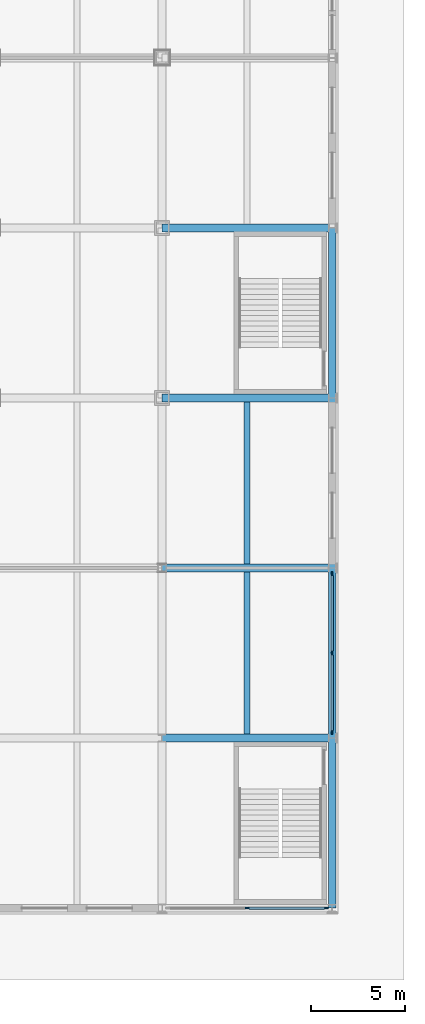
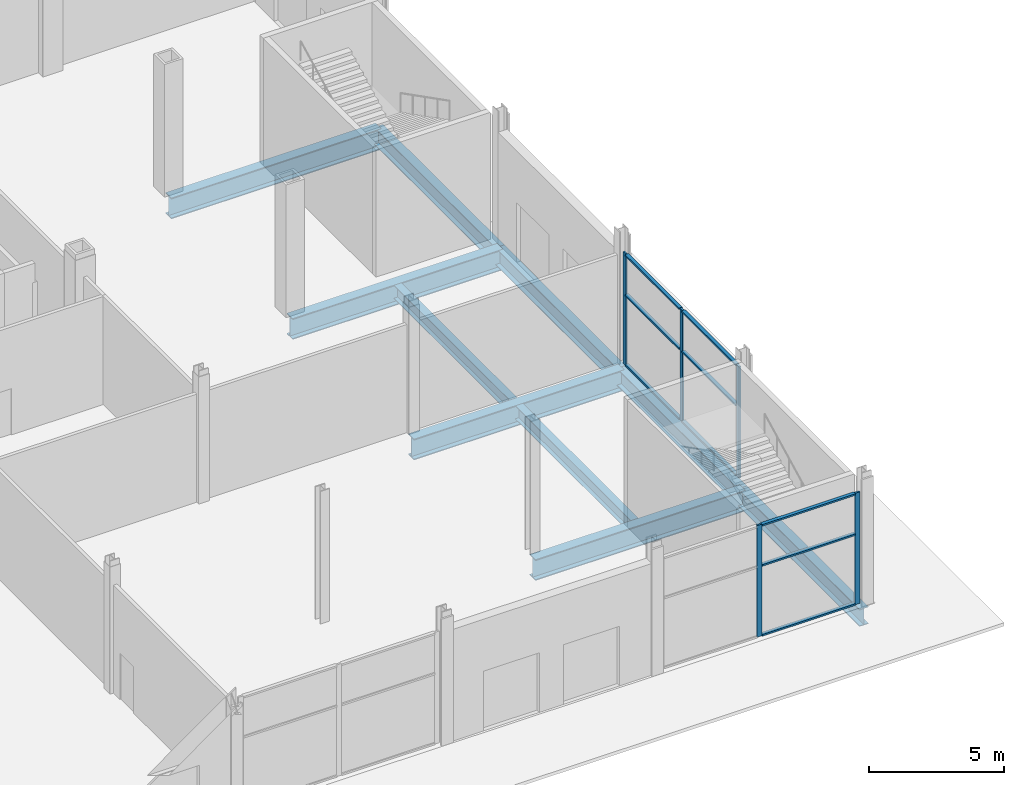
# One storey, part 12 of 34: 14 members, 10 beams, 2 elements without a shape of their own.
"""IFC4 building model written with IfcOpenShell, lengths in metres."""

from ifc_helpers import new_model, si_unit, direction, frame, origin, origin_2d, place, context, subcontext, project, spatial, rectangle, i_section, extrude, material, material_profile, profile_set, type_object, element, aggregate, save


model = new_model("IFC4")

# Units and contexts
model_context = context("Model", 3, precision=1e-05, world=origin(), true_north=direction((0.0, 1.0)))
body_context = subcontext(model_context, "Body", "Model", "MODEL_VIEW")
ifc_project = project(units=[si_unit("LENGTHUNIT", "METRE"), si_unit("AREAUNIT", "SQUARE_METRE"), si_unit("VOLUMEUNIT", "CUBIC_METRE"), si_unit("PLANEANGLEUNIT", "RADIAN"), si_unit("MASSUNIT", "GRAM", prefix="KILO")], contexts=[model_context])

# Site, building, storey
site_placement = place(None, origin())
site = spatial("IfcSite", under=ifc_project, at=site_placement, CompositionType="ELEMENT")
building_placement = place(site_placement, origin())
building = spatial("IfcBuilding", under=site, at=building_placement, Name="Loomwork Tower", CompositionType="ELEMENT")
storey_placement = place(building_placement, origin())
storey = spatial("IfcBuildingStorey", under=building, at=storey_placement, Name="L00", CompositionType="ELEMENT", Elevation=0.0)

# Beams
ifc_material_1 = material(Name="Steel ASTM A992", Category="steel")
ifc_material_profile_1 = material_profile(ifc_material_1, i_section(OverallWidth=0.381103515625, OverallDepth=0.77978515625, WebThickness=0.01806640625, FlangeThickness=0.0302734375, at=origin_2d()), Name="W30x191")
ifc_profile_set_1 = profile_set([ifc_material_profile_1], Name="Steel ASTM A992")
beam_type_1 = type_object("IfcBeamType", Name="EDGE GIRDER W30x191", PredefinedType="BEAM", material=ifc_profile_set_1)
for number, where, z_axis, x_axis, name in (
    (1, (63.0, -27.0, -0.68994140625), (0.0, 1.0, 0.0), (-1.0, 0.0, 0.0), "Edge Girder A/9-B/9 L00"),
    (2, (63.0, -18.0, -0.68994140625), (0.0, 1.0, 0.0), (-1.0, 0.0, 0.0), "Edge Girder B/9-C/9 L00"),
    (3, (63.0, -9.0, -0.68994140625), (0.0, 1.0, 0.0), (-1.0, 0.0, 0.0), "Edge Girder C/9-D/9 L00"),
    (4, (63.0, 0.0, -0.68994140625), (0.0, 1.0, 0.0), (-1.0, 0.0, 0.0), "Edge Girder D/9-E/9 L00"),
):
    element("IfcBeam", number, at=place(storey_placement, frame(where, z_axis=z_axis, x_axis=x_axis)), inside=storey, type_object=beam_type_1, Name=name, PredefinedType="BEAM", context=body_context, shape_type="SweptSolid", body=[
        extrude(i_section(OverallWidth=0.381103515625, OverallDepth=0.77978515625, WebThickness=0.01806640625, FlangeThickness=0.0302734375, at=origin_2d()), origin(), (0.0, 0.0, 1.0), 9.0),
    ])
ifc_material_2 = material(Name="Steel ASTM A992", Category="steel")
ifc_material_profile_2 = material_profile(ifc_material_2, i_section(OverallWidth=0.3251953125, OverallDepth=0.612060546875, WebThickness=0.0126953125, FlangeThickness=0.01904296875, at=origin_2d()), Name="W24x104")
ifc_profile_set_2 = profile_set([ifc_material_profile_2], Name="Steel ASTM A992")
beam_type_2 = type_object("IfcBeamType", Name="FLOOR JOIST W24x104", PredefinedType="JOIST", material=ifc_profile_set_2)
for number, where, z_axis, x_axis, name in (
    (5, (58.5, -17.7880859375, -0.60595703125), (0.0, 1.0, 0.0), (-1.0, 0.0, 0.0), "Floor Joist 58.500,-18.000-58.500,-9.000 L00"),
    (6, (58.5, -8.7880859375, -0.60595703125), (0.0, 1.0, 0.0), (-1.0, 0.0, 0.0), "Floor Joist 58.500,-9.000-58.500,0.000 L00"),
):
    element("IfcBeam", number, at=place(storey_placement, frame(where, z_axis=z_axis, x_axis=x_axis)), inside=storey, type_object=beam_type_2, Name=name, PredefinedType="JOIST", context=body_context, shape_type="SweptSolid", body=[
        extrude(i_section(OverallWidth=0.3251953125, OverallDepth=0.612060546875, WebThickness=0.0126953125, FlangeThickness=0.01904296875, at=origin_2d()), origin(), (0.0, 0.0, 1.0), 8.576171875),
    ])

# Curtain wall, members
ifc_material_3 = material(Name="Aluminium storefront frame", Category="aluminium")
curtain_wall_type = type_object("IfcCurtainWallType", Name="Storefront glazing", PredefinedType="NOTDEFINED", material=ifc_material_3)
curtain_wall_1_placement = place(storey_placement, origin())
curtain_wall_1 = element("IfcCurtainWall", 7, at=curtain_wall_1_placement, inside=storey, type_object=curtain_wall_type, Name="Storefront glazing cw/S-54", PredefinedType="NOTDEFINED")
ifc_material_4 = material(Name="Aluminium storefront frame", Category="aluminium")
ifc_material_profile_3 = material_profile(ifc_material_4, rectangle(XDim=0.074951171875, YDim=0.199951171875, at=origin_2d()), Name="AL 75x200")
ifc_profile_set_3 = profile_set([ifc_material_profile_3], Name="Aluminium storefront frame")
member_type_1 = type_object("IfcMemberType", Name="Storefront glazing mullion", PredefinedType="MULLION", material=ifc_profile_set_3)
member_1_placement = place(storey_placement, frame((58.501953125, -27.0, 0.0), z_axis=(0.0, 0.0, 1.0), x_axis=(0.0, 1.0, 0.0)))
member_1 = element("IfcMember", 8, at=member_1_placement, type_object=member_type_1, Name="CW7 mullion 2", PredefinedType="MULLION", context=body_context, shape_type="SweptSolid", body=[
    extrude(rectangle(XDim=0.074951171875, YDim=0.199951171875, at=origin_2d()), origin(), (0.0, 0.0, 1.0), 5.053955078125),
])
member_2_placement = place(storey_placement, frame((62.69921875, -27.0, 0.0), z_axis=(0.0, 0.0, 1.0), x_axis=(0.0, 1.0, 0.0)))
member_2 = element("IfcMember", 9, at=member_2_placement, type_object=member_type_1, Name="CW7 mullion 3", PredefinedType="MULLION", context=body_context, shape_type="SweptSolid", body=[
    extrude(rectangle(XDim=0.074951171875, YDim=0.199951171875, at=origin_2d()), origin(), (0.0, 0.0, 1.0), 5.053955078125),
])

curtain_wall_2_placement = place(storey_placement, origin())
curtain_wall_2 = element("IfcCurtainWall", 10, at=curtain_wall_2_placement, inside=storey, type_object=curtain_wall_type, Name="Storefront glazing cw/E--18", PredefinedType="NOTDEFINED")
member_3_placement = place(storey_placement, frame((63.0, -17.69921875, 0.0), z_axis=(0.0, 0.0, 1.0), x_axis=(-1.0, 0.0, 0.0)))
member_3 = element("IfcMember", 11, at=member_3_placement, type_object=member_type_1, Name="CW7 mullion 1", PredefinedType="MULLION", context=body_context, shape_type="SweptSolid", body=[
    extrude(rectangle(XDim=0.074951171875, YDim=0.199951171875, at=origin_2d()), origin(), (0.0, 0.0, 1.0), 5.053955078125),
])
member_4_placement = place(storey_placement, frame((63.0, -13.5, 0.0), z_axis=(0.0, 0.0, 1.0), x_axis=(-1.0, 0.0, 0.0)))
member_4 = element("IfcMember", 12, at=member_4_placement, type_object=member_type_1, Name="CW7 mullion 2", PredefinedType="MULLION", context=body_context, shape_type="SweptSolid", body=[
    extrude(rectangle(XDim=0.074951171875, YDim=0.199951171875, at=origin_2d()), origin(), (0.0, 0.0, 1.0), 5.053955078125),
])
member_5_placement = place(storey_placement, frame((63.0, -9.30078125, 0.0), z_axis=(0.0, 0.0, 1.0), x_axis=(-1.0, 0.0, 0.0)))
member_5 = element("IfcMember", 13, at=member_5_placement, type_object=member_type_1, Name="CW7 mullion 3", PredefinedType="MULLION", context=body_context, shape_type="SweptSolid", body=[
    extrude(rectangle(XDim=0.074951171875, YDim=0.199951171875, at=origin_2d()), origin(), (0.0, 0.0, 1.0), 5.053955078125),
])

# Member
ifc_material_5 = material(Name="Aluminium storefront frame", Category="aluminium")
ifc_material_profile_4 = material_profile(ifc_material_5, rectangle(XDim=0.14990234375, YDim=0.074951171875, at=origin_2d()), Name="AL 75x150")
ifc_profile_set_4 = profile_set([ifc_material_profile_4], Name="Aluminium storefront frame")
member_type_2 = type_object("IfcMemberType", Name="Storefront glazing transom", PredefinedType="USERDEFINED", material=ifc_profile_set_4)
member_6_placement = place(storey_placement, frame((58.601806640625, -27.0, 0.03759765625), z_axis=(1.0, 0.0, 0.0), x_axis=(0.0, 1.0, 0.0)))
member_6 = element("IfcMember", 14, at=member_6_placement, type_object=member_type_2, Name="CW7 transom 2.1", ObjectType="TRANSOM", PredefinedType="USERDEFINED", context=body_context, shape_type="SweptSolid", body=[
    extrude(rectangle(XDim=0.14990234375, YDim=0.074951171875, at=origin_2d()), origin(), (0.0, 0.0, 1.0), 3.99755859375),
])

member_7_placement = place(storey_placement, frame((58.601806640625, -27.0, 3.199951171875), z_axis=(1.0, 0.0, 0.0), x_axis=(0.0, 1.0, 0.0)))
member_7 = element("IfcMember", 15, at=member_7_placement, type_object=member_type_2, Name="CW7 transom 2.2", ObjectType="TRANSOM", PredefinedType="USERDEFINED", context=body_context, shape_type="SweptSolid", body=[
    extrude(rectangle(XDim=0.14990234375, YDim=0.074951171875, at=origin_2d()), origin(), (0.0, 0.0, 1.0), 3.99755859375),
])

member_8_placement = place(storey_placement, frame((58.601806640625, -27.0, 5.0166015625), z_axis=(1.0, 0.0, 0.0), x_axis=(0.0, 1.0, 0.0)))
member_8 = element("IfcMember", 16, at=member_8_placement, type_object=member_type_2, Name="CW7 transom 2.3", ObjectType="TRANSOM", PredefinedType="USERDEFINED", context=body_context, shape_type="SweptSolid", body=[
    extrude(rectangle(XDim=0.14990234375, YDim=0.074951171875, at=origin_2d()), origin(), (0.0, 0.0, 1.0), 3.99755859375),
])

aggregate(curtain_wall_1, [member_1, member_2, member_6, member_7, member_8])

member_9_placement = place(storey_placement, frame((63.0, -17.599365234375, 0.03759765625), z_axis=(0.0, 1.0, 0.0), x_axis=(-1.0, 0.0, 0.0)))
member_9 = element("IfcMember", 17, at=member_9_placement, type_object=member_type_2, Name="CW7 transom 1.1", ObjectType="TRANSOM", PredefinedType="USERDEFINED", context=body_context, shape_type="SweptSolid", body=[
    extrude(rectangle(XDim=0.14990234375, YDim=0.074951171875, at=origin_2d()), origin(), (0.0, 0.0, 1.0), 3.999267578125),
])

member_10_placement = place(storey_placement, frame((63.0, -17.599365234375, 3.199951171875), z_axis=(0.0, 1.0, 0.0), x_axis=(-1.0, 0.0, 0.0)))
member_10 = element("IfcMember", 18, at=member_10_placement, type_object=member_type_2, Name="CW7 transom 1.2", ObjectType="TRANSOM", PredefinedType="USERDEFINED", context=body_context, shape_type="SweptSolid", body=[
    extrude(rectangle(XDim=0.14990234375, YDim=0.074951171875, at=origin_2d()), origin(), (0.0, 0.0, 1.0), 3.999267578125),
])

member_11_placement = place(storey_placement, frame((63.0, -17.599365234375, 5.0166015625), z_axis=(0.0, 1.0, 0.0), x_axis=(-1.0, 0.0, 0.0)))
member_11 = element("IfcMember", 19, at=member_11_placement, type_object=member_type_2, Name="CW7 transom 1.3", ObjectType="TRANSOM", PredefinedType="USERDEFINED", context=body_context, shape_type="SweptSolid", body=[
    extrude(rectangle(XDim=0.14990234375, YDim=0.074951171875, at=origin_2d()), origin(), (0.0, 0.0, 1.0), 3.999267578125),
])

member_12_placement = place(storey_placement, frame((63.0, -13.39990234375, 0.03759765625), z_axis=(0.0, 1.0, 0.0), x_axis=(-1.0, 0.0, 0.0)))
member_12 = element("IfcMember", 20, at=member_12_placement, type_object=member_type_2, Name="CW7 transom 2.1", ObjectType="TRANSOM", PredefinedType="USERDEFINED", context=body_context, shape_type="SweptSolid", body=[
    extrude(rectangle(XDim=0.14990234375, YDim=0.074951171875, at=origin_2d()), origin(), (0.0, 0.0, 1.0), 3.999267578125),
])

member_13_placement = place(storey_placement, frame((63.0, -13.39990234375, 3.199951171875), z_axis=(0.0, 1.0, 0.0), x_axis=(-1.0, 0.0, 0.0)))
member_13 = element("IfcMember", 21, at=member_13_placement, type_object=member_type_2, Name="CW7 transom 2.2", ObjectType="TRANSOM", PredefinedType="USERDEFINED", context=body_context, shape_type="SweptSolid", body=[
    extrude(rectangle(XDim=0.14990234375, YDim=0.074951171875, at=origin_2d()), origin(), (0.0, 0.0, 1.0), 3.999267578125),
])

member_14_placement = place(storey_placement, frame((63.0, -13.39990234375, 5.0166015625), z_axis=(0.0, 1.0, 0.0), x_axis=(-1.0, 0.0, 0.0)))
member_14 = element("IfcMember", 22, at=member_14_placement, type_object=member_type_2, Name="CW7 transom 2.3", ObjectType="TRANSOM", PredefinedType="USERDEFINED", context=body_context, shape_type="SweptSolid", body=[
    extrude(rectangle(XDim=0.14990234375, YDim=0.074951171875, at=origin_2d()), origin(), (0.0, 0.0, 1.0), 3.999267578125),
])

aggregate(curtain_wall_2, [member_3, member_4, member_5, member_9, member_10, member_11, member_12, member_13, member_14])

# Beams
ifc_material_6 = material(Name="Steel ASTM A992", Category="steel")
ifc_material_profile_5 = material_profile(ifc_material_6, i_section(OverallWidth=0.424072265625, OverallDepth=0.947509765625, WebThickness=0.02392578125, FlangeThickness=0.042724609375, at=origin_2d()), Name="W36x302")
ifc_profile_set_5 = profile_set([ifc_material_profile_5], Name="Steel ASTM A992")
beam_type_3 = type_object("IfcBeamType", Name="TRANSFER FLOOR GIRDER W36x302", PredefinedType="BEAM", material=ifc_profile_set_5)
for number, where, z_axis, x_axis, name in (
    (23, (54.0, -18.0, -0.773681640625), (1.0, 0.0, 0.0), (0.0, 1.0, 0.0), "Transfer Floor Girder B/8-B/9 L00"),
    (24, (54.0, -9.0, -0.773681640625), (1.0, 0.0, 0.0), (0.0, 1.0, 0.0), "Transfer Floor Girder C/8-C/9 L00"),
    (25, (54.0, 0.0, -0.773681640625), (1.0, 0.0, 0.0), (0.0, 1.0, 0.0), "Transfer Floor Girder D/8-D/9 L00"),
    (26, (54.0, 9.0, -0.773681640625), (1.0, 0.0, 0.0), (0.0, 1.0, 0.0), "Transfer Floor Girder E/8-E/9 L00"),
):
    element("IfcBeam", number, at=place(storey_placement, frame(where, z_axis=z_axis, x_axis=x_axis)), inside=storey, type_object=beam_type_3, Name=name, PredefinedType="BEAM", context=body_context, shape_type="SweptSolid", body=[
        extrude(i_section(OverallWidth=0.424072265625, OverallDepth=0.947509765625, WebThickness=0.02392578125, FlangeThickness=0.042724609375, at=origin_2d()), origin(), (0.0, 0.0, 1.0), 9.0),
    ])

save(model, "model.ifc")
